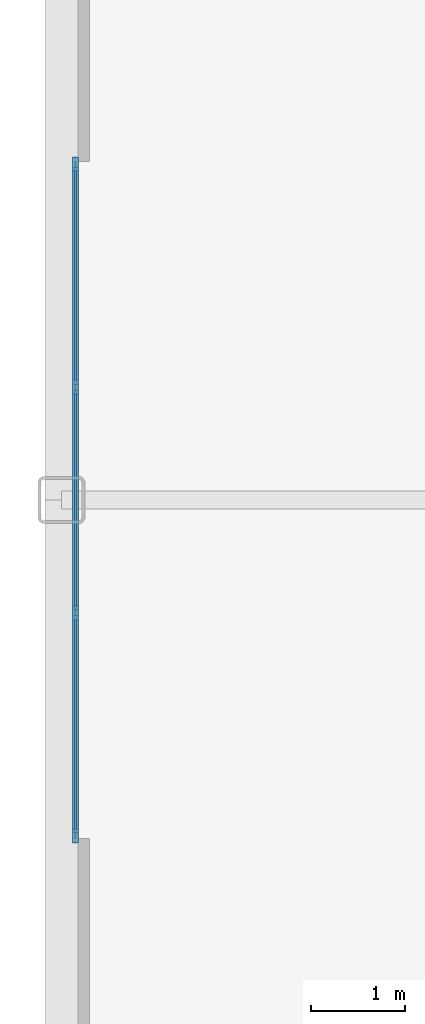
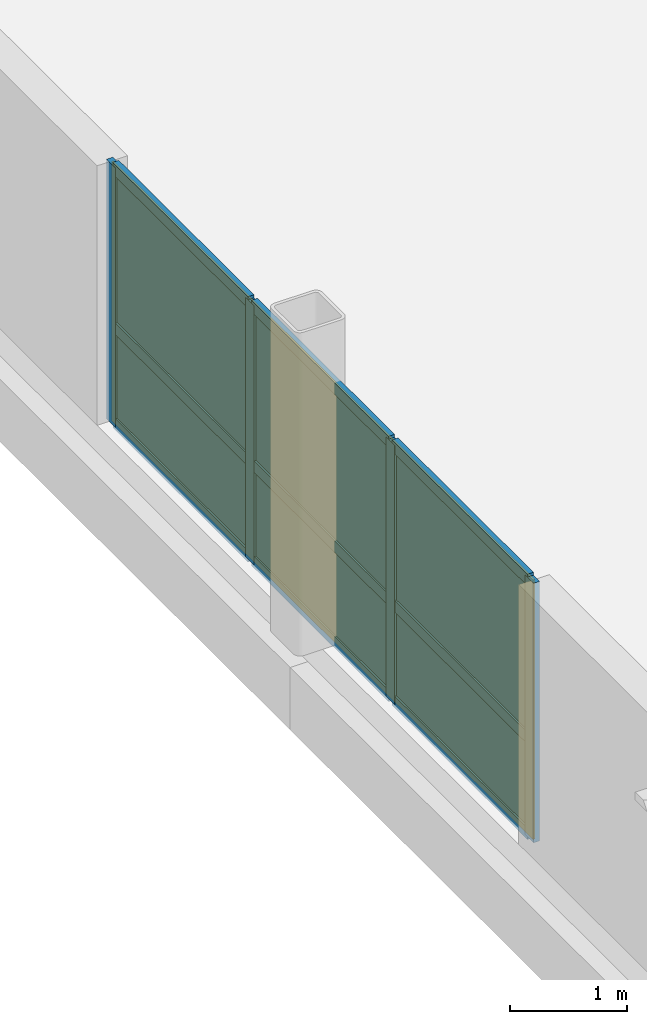
# One storey, part 10 of 16: 13 members, 6 plates, 1 curtain wall.
"""IFC4 building model written with IfcOpenShell, lengths in metres."""

from ifc_helpers import new_model, si_unit, direction, frame, frame_2d, origin, origin_2d, place, context, subcontext, project, spatial, rectangle, extrude, source, transform, mapped, material, layer, layer_set, material_profile, profile_set, type_object, type_shapes, element, aggregate, save


model = new_model("IFC4")

# Units and contexts
model_context = context("Model", 3, precision=1e-05, world=origin(), true_north=direction((0.0, 1.0)))
body_context = subcontext(model_context, "Body", "Model", "MODEL_VIEW")
ifc_project = project(units=[si_unit("LENGTHUNIT", "METRE"), si_unit("AREAUNIT", "SQUARE_METRE"), si_unit("VOLUMEUNIT", "CUBIC_METRE"), si_unit("PLANEANGLEUNIT", "RADIAN"), si_unit("MASSUNIT", "GRAM", prefix="KILO")], contexts=[model_context])

# Member
ifc_material_1 = material(Name="Anodised aluminium 6063-T6", Category="aluminium")
ifc_material_profile_1 = material_profile(ifc_material_1, rectangle(XDim=0.06005859375, YDim=0.14990234375, at=origin_2d()), Name="ALU-MULL-60x150")
ifc_profile_set_1 = profile_set([ifc_material_profile_1], Name="Anodised aluminium 6063-T6")
member_type_1 = type_object("IfcMemberType", Name="CWM-4", PredefinedType="MULLION", material=ifc_profile_set_1)
site_placement = place(None, origin())
building_placement = place(site_placement, origin())
storey_placement = place(building_placement, frame((0.0, 0.0, 227.39990234375)))
member_1_placement = place(storey_placement, frame((-26.25, -3.570068359375, 0.0), z_axis=(0.0, 0.0, 1.0), x_axis=(-1.0, 0.0, 0.0)))
member_1 = element("IfcMember", 1, at=member_1_placement, type_object=member_type_1, Name="CWS-4 mullion 1", PredefinedType="MULLION", context=body_context, shape_type="SweptSolid", body=[
    extrude(rectangle(XDim=0.06005859375, YDim=0.14990234375, at=origin_2d()), origin(), (0.0, 0.0, 1.0), 2.705078125),
])

member_2_placement = place(storey_placement, frame((-26.25, -1.199951171875, 0.0), z_axis=(0.0, 0.0, 1.0), x_axis=(-1.0, 0.0, 0.0)))
member_2 = element("IfcMember", 2, at=member_2_placement, type_object=member_type_1, Name="CWS-4 mullion 2", PredefinedType="MULLION", context=body_context, shape_type="SweptSolid", body=[
    extrude(rectangle(XDim=0.06005859375, YDim=0.14990234375, at=origin_2d()), origin(), (0.0, 0.0, 1.0), 2.705078125),
])

member_3_placement = place(storey_placement, frame((-26.25, 1.199951171875, 0.0), z_axis=(0.0, 0.0, 1.0), x_axis=(-1.0, 0.0, 0.0)))
member_3 = element("IfcMember", 3, at=member_3_placement, type_object=member_type_1, Name="CWS-4 mullion 3", PredefinedType="MULLION", context=body_context, shape_type="SweptSolid", body=[
    extrude(rectangle(XDim=0.06005859375, YDim=0.14990234375, at=origin_2d()), origin(), (0.0, 0.0, 1.0), 2.705078125),
])

member_4_placement = place(storey_placement, frame((-26.25, 3.570068359375, 0.0), z_axis=(0.0, 0.0, 1.0), x_axis=(-1.0, 0.0, 0.0)))
member_4 = element("IfcMember", 4, at=member_4_placement, type_object=member_type_1, Name="CWS-4 mullion 4", PredefinedType="MULLION", context=body_context, shape_type="SweptSolid", body=[
    extrude(rectangle(XDim=0.06005859375, YDim=0.14990234375, at=origin_2d()), origin(), (0.0, 0.0, 1.0), 2.705078125),
])

ifc_material_profile_2 = material_profile(ifc_material_1, rectangle(XDim=0.06005859375, YDim=0.1201171875, at=origin_2d()), Name="ALU-TRAN-60x120")
ifc_profile_set_2 = profile_set([ifc_material_profile_2], Name="Anodised aluminium 6063-T6")
member_type_2 = type_object("IfcMemberType", Name="CWT-4", PredefinedType="USERDEFINED", material=ifc_profile_set_2)
member_5_placement = place(storey_placement, frame((-26.25, -3.5400390625, 0.030029296875), z_axis=(0.0, 1.0, 0.0), x_axis=(-1.0, 0.0, 0.0)))
member_5 = element("IfcMember", 5, at=member_5_placement, type_object=member_type_2, Name="CWS-4 transom 1.1", ObjectType="TRANSOM", PredefinedType="USERDEFINED", context=body_context, shape_type="SweptSolid", body=[
    extrude(rectangle(XDim=0.06005859375, YDim=0.1201171875, at=origin_2d()), origin(), (0.0, 0.0, 1.0), 2.31005859375),
])

member_6_placement = place(storey_placement, frame((-26.25, -3.5400390625, 1.028076171875), z_axis=(0.0, 1.0, 0.0), x_axis=(-1.0, 0.0, 0.0)))
member_6 = element("IfcMember", 6, at=member_6_placement, type_object=member_type_2, Name="CWS-4 transom 1.2", ObjectType="TRANSOM", PredefinedType="USERDEFINED", context=body_context, shape_type="SweptSolid", body=[
    extrude(rectangle(XDim=0.06005859375, YDim=0.1201171875, at=origin_2d()), origin(), (0.0, 0.0, 1.0), 2.31005859375),
])

member_7_placement = place(storey_placement, frame((-26.25, -3.5400390625, 2.675048828125), z_axis=(0.0, 1.0, 0.0), x_axis=(-1.0, 0.0, 0.0)))
member_7 = element("IfcMember", 7, at=member_7_placement, type_object=member_type_2, Name="CWS-4 transom 1.3", ObjectType="TRANSOM", PredefinedType="USERDEFINED", context=body_context, shape_type="SweptSolid", body=[
    extrude(rectangle(XDim=0.06005859375, YDim=0.1201171875, at=origin_2d()), origin(), (0.0, 0.0, 1.0), 2.31005859375),
])

member_8_placement = place(storey_placement, frame((-26.25, -1.169921875, 0.030029296875), z_axis=(0.0, 1.0, 0.0), x_axis=(-1.0, 0.0, 0.0)))
member_8 = element("IfcMember", 8, at=member_8_placement, type_object=member_type_2, Name="CWS-4 transom 2.1", ObjectType="TRANSOM", PredefinedType="USERDEFINED", context=body_context, shape_type="SweptSolid", body=[
    extrude(rectangle(XDim=0.06005859375, YDim=0.1201171875, at=origin_2d()), origin(), (0.0, 0.0, 1.0), 2.33984375),
])

member_9_placement = place(storey_placement, frame((-26.25, -1.169921875, 1.028076171875), z_axis=(0.0, 1.0, 0.0), x_axis=(-1.0, 0.0, 0.0)))
member_9 = element("IfcMember", 9, at=member_9_placement, type_object=member_type_2, Name="CWS-4 transom 2.2", ObjectType="TRANSOM", PredefinedType="USERDEFINED", context=body_context, shape_type="SweptSolid", body=[
    extrude(rectangle(XDim=0.06005859375, YDim=0.1201171875, at=origin_2d()), origin(), (0.0, 0.0, 1.0), 2.33984375),
])

member_10_placement = place(storey_placement, frame((-26.25, -1.169921875, 2.675048828125), z_axis=(0.0, 1.0, 0.0), x_axis=(-1.0, 0.0, 0.0)))
member_10 = element("IfcMember", 10, at=member_10_placement, type_object=member_type_2, Name="CWS-4 transom 2.3", ObjectType="TRANSOM", PredefinedType="USERDEFINED", context=body_context, shape_type="SweptSolid", body=[
    extrude(rectangle(XDim=0.06005859375, YDim=0.1201171875, at=origin_2d()), origin(), (0.0, 0.0, 1.0), 2.33984375),
])

member_11_placement = place(storey_placement, frame((-26.25, 1.22998046875, 0.030029296875), z_axis=(0.0, 1.0, 0.0), x_axis=(-1.0, 0.0, 0.0)))
member_11 = element("IfcMember", 11, at=member_11_placement, type_object=member_type_2, Name="CWS-4 transom 3.1", ObjectType="TRANSOM", PredefinedType="USERDEFINED", context=body_context, shape_type="SweptSolid", body=[
    extrude(rectangle(XDim=0.06005859375, YDim=0.1201171875, at=origin_2d()), origin(), (0.0, 0.0, 1.0), 2.31005859375),
])

member_12_placement = place(storey_placement, frame((-26.25, 1.22998046875, 1.028076171875), z_axis=(0.0, 1.0, 0.0), x_axis=(-1.0, 0.0, 0.0)))
member_12 = element("IfcMember", 12, at=member_12_placement, type_object=member_type_2, Name="CWS-4 transom 3.2", ObjectType="TRANSOM", PredefinedType="USERDEFINED", context=body_context, shape_type="SweptSolid", body=[
    extrude(rectangle(XDim=0.06005859375, YDim=0.1201171875, at=origin_2d()), origin(), (0.0, 0.0, 1.0), 2.31005859375),
])

member_13_placement = place(storey_placement, frame((-26.25, 1.22998046875, 2.675048828125), z_axis=(0.0, 1.0, 0.0), x_axis=(-1.0, 0.0, 0.0)))
member_13 = element("IfcMember", 13, at=member_13_placement, type_object=member_type_2, Name="CWS-4 transom 3.3", ObjectType="TRANSOM", PredefinedType="USERDEFINED", context=body_context, shape_type="SweptSolid", body=[
    extrude(rectangle(XDim=0.06005859375, YDim=0.1201171875, at=origin_2d()), origin(), (0.0, 0.0, 1.0), 2.31005859375),
])

# Plate
ifc_material_2 = material(Name="Insulated solar-control glass", Category="glass")
ifc_layer_1 = layer(ifc_material_2, 0.02587890625, Name="CWP-4")
ifc_layer_set_1 = layer_set([ifc_layer_1], Name="Insulated solar-control glass")
plate_type = type_object("IfcPlateType", Name="CWP-4", PredefinedType="CURTAIN_PANEL", material=ifc_layer_set_1)
shared_shape_1 = source(origin(), body_context, "Body", "SweptSolid", [
    extrude(rectangle(XDim=2.31005859375, YDim=0.02587890625, at=origin_2d()), origin(), (0.0, 0.0, 1.0), 0.93798828125),
])
plate_1_placement = place(storey_placement, frame((-26.25, -2.385009765625, 0.06005859375), z_axis=(0.0, 0.0, 1.0), x_axis=(0.0, 1.0, 0.0)))
plate_1 = element("IfcPlate", 14, at=plate_1_placement, type_object=plate_type, Name="CWS-4 panel 1.1", PredefinedType="CURTAIN_PANEL", context=body_context, shape_type="MappedRepresentation", body=[
    mapped(shared_shape_1, transform((0.0, 0.0, 0.0), scale=1.0)),
])

plate_2_placement = place(storey_placement, frame((-26.25, 2.385009765625, 0.06005859375), z_axis=(0.0, 0.0, 1.0), x_axis=(0.0, 1.0, 0.0)))
plate_2 = element("IfcPlate", 15, at=plate_2_placement, type_object=plate_type, Name="CWS-4 panel 3.1", PredefinedType="CURTAIN_PANEL", context=body_context, shape_type="MappedRepresentation", body=[
    mapped(shared_shape_1, transform((0.0, 0.0, 0.0), scale=1.0)),
])

shared_shape_2 = source(origin(), body_context, "Body", "SweptSolid", [
    extrude(rectangle(XDim=2.31005859375, YDim=0.02587890625, at=origin_2d()), origin(), (0.0, 0.0, 1.0), 1.587158203125),
])
plate_3_placement = place(storey_placement, frame((-26.25, -2.385009765625, 1.05810546875), z_axis=(0.0, 0.0, 1.0), x_axis=(0.0, 1.0, 0.0)))
plate_3 = element("IfcPlate", 16, at=plate_3_placement, type_object=plate_type, Name="CWS-4 panel 1.2", PredefinedType="CURTAIN_PANEL", context=body_context, shape_type="MappedRepresentation", body=[
    mapped(shared_shape_2, transform((0.0, 0.0, 0.0), scale=1.0)),
])

plate_4_placement = place(storey_placement, frame((-26.25, 2.385009765625, 1.05810546875), z_axis=(0.0, 0.0, 1.0), x_axis=(0.0, 1.0, 0.0)))
plate_4 = element("IfcPlate", 17, at=plate_4_placement, type_object=plate_type, Name="CWS-4 panel 3.2", PredefinedType="CURTAIN_PANEL", context=body_context, shape_type="MappedRepresentation", body=[
    mapped(shared_shape_2, transform((0.0, 0.0, 0.0), scale=1.0)),
])

shared_shape_3 = source(origin(), body_context, "Body", "SweptSolid", [
    extrude(rectangle(XDim=2.340087890625, YDim=0.02587890625, at=origin_2d()), origin(), (0.0, 0.0, 1.0), 0.93798828125),
])
plate_5_placement = place(storey_placement, frame((-26.25, 0.0, 0.06005859375), z_axis=(0.0, 0.0, 1.0), x_axis=(0.0, 1.0, 0.0)))
plate_5 = element("IfcPlate", 18, at=plate_5_placement, type_object=plate_type, Name="CWS-4 panel 2.1", PredefinedType="CURTAIN_PANEL", context=body_context, shape_type="MappedRepresentation", body=[
    mapped(shared_shape_3, transform((0.0, 0.0, 0.0), scale=1.0)),
])

shared_shape_4 = source(origin(), body_context, "Body", "SweptSolid", [
    extrude(rectangle(XDim=2.340087890625, YDim=0.02587890625, at=origin_2d()), origin(), (0.0, 0.0, 1.0), 1.587158203125),
])
type_shapes(plate_type, [shared_shape_1, shared_shape_2, shared_shape_3, shared_shape_4])
plate_6_placement = place(storey_placement, frame((-26.25, 0.0, 1.05810546875), z_axis=(0.0, 0.0, 1.0), x_axis=(0.0, 1.0, 0.0)))
plate_6 = element("IfcPlate", 19, at=plate_6_placement, type_object=plate_type, Name="CWS-4 panel 2.2", PredefinedType="CURTAIN_PANEL", context=body_context, shape_type="MappedRepresentation", body=[
    mapped(shared_shape_4, transform((0.0, 0.0, 0.0), scale=1.0)),
])

# Site, building, storey
site = spatial("IfcSite", under=ifc_project, at=site_placement, CompositionType="ELEMENT")
building = spatial("IfcBuilding", under=site, at=building_placement, Name="Nuvemarco Arch Tower", CompositionType="ELEMENT")
storey = spatial("IfcBuildingStorey", under=building, at=storey_placement, Name="L60", CompositionType="ELEMENT", Elevation=227.39990234375)

# Curtain wall
ifc_layer_2 = layer(ifc_material_2, 0.14990234375, Name="CW-SYS-4")
ifc_layer_set_2 = layer_set([ifc_layer_2], Name="Insulated solar-control glass")
curtain_wall_type = type_object("IfcCurtainWallType", Name="CW-SYS-4", PredefinedType="NOTDEFINED", material=ifc_layer_set_2)
curtain_wall_placement = place(storey_placement, frame((-26.25, -3.60009765625, 0.0), z_axis=(0.0, 0.0, 1.0), x_axis=(0.0, 1.0, 0.0)))
curtain_wall = element("IfcCurtainWall", 20, at=curtain_wall_placement, inside=storey, type_object=curtain_wall_type, Name="L60 curtain wall CWS-4", PredefinedType="NOTDEFINED", context=body_context, shape_type="SweptSolid", body=[
    extrude(rectangle(XDim=7.2001953125, YDim=0.02001953125, at=frame_2d((3.60009765625, 0.0))), origin(), (0.0, 0.0, 1.0), 2.705078125),
])

aggregate(curtain_wall, [member_1, member_2, member_3, member_4, member_5, member_6, member_7, plate_1, plate_3, member_8, member_9, member_10, plate_5, plate_6, member_11, member_12, member_13, plate_2, plate_4])

save(model, "model.ifc")
